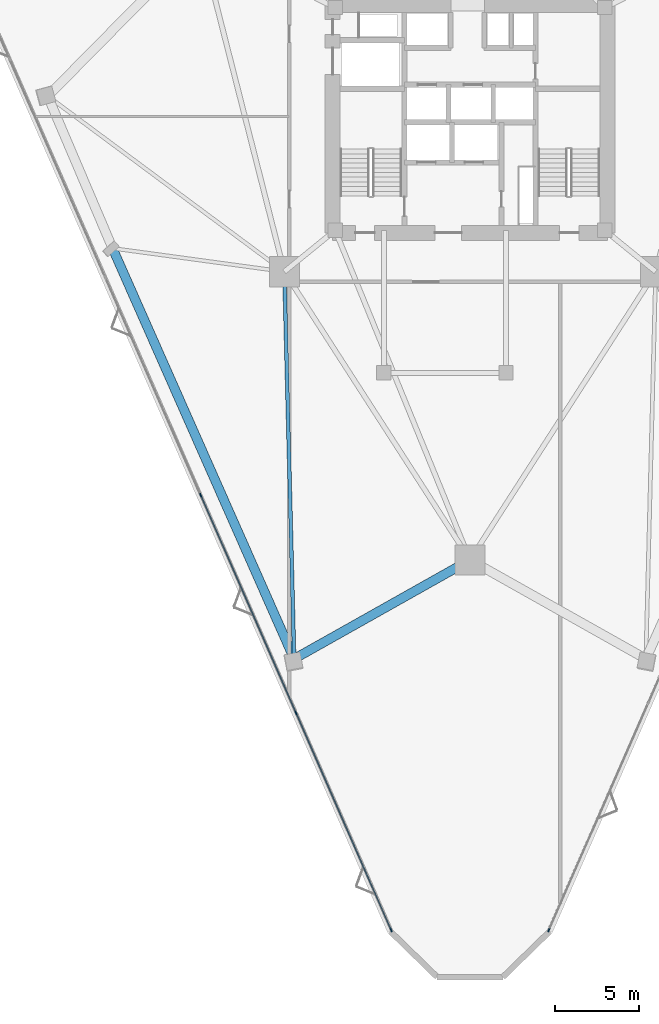
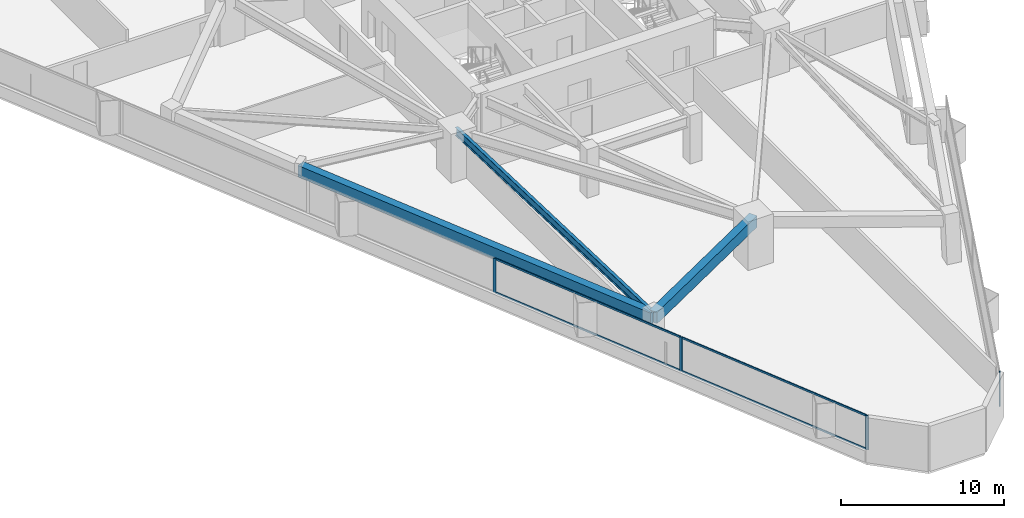
# One storey, part 2 of 14: 8 members, 3 beams, 2 elements without a shape of their own.
"""IFC4 building model written with IfcOpenShell, lengths in metres."""

from ifc_helpers import new_model, si_unit, direction, frame, origin, origin_2d, place, context, subcontext, project, spatial, rectangle, i_section, extrude, material, layer, layer_set, material_profile, profile_set, type_object, element, aggregate, save


model = new_model("IFC4")

# Units and contexts
model_context = context("Model", 3, precision=1e-05, world=origin(), true_north=direction((0.0, 1.0)))
body_context = subcontext(model_context, "Body", "Model", "MODEL_VIEW")
ifc_project = project(units=[si_unit("LENGTHUNIT", "METRE"), si_unit("AREAUNIT", "SQUARE_METRE"), si_unit("VOLUMEUNIT", "CUBIC_METRE"), si_unit("PLANEANGLEUNIT", "RADIAN"), si_unit("MASSUNIT", "GRAM", prefix="KILO")], contexts=[model_context])

# Site, building, storey
site_placement = place(None, origin())
site = spatial("IfcSite", under=ifc_project, at=site_placement, CompositionType="ELEMENT")
building_placement = place(site_placement, origin())
building = spatial("IfcBuilding", under=site, at=building_placement, Name="Talyreon Biosciences Tower", CompositionType="ELEMENT")
storey_placement = place(building_placement, frame((0.0, 0.0, 48.35009765625)))
storey = spatial("IfcBuildingStorey", under=building, at=storey_placement, Name="L12", CompositionType="ELEMENT", Elevation=48.35009765625)

# Curtain wall, member
ifc_material_1 = material(Name="Thermally broken aluminium and low-E glazing", Category="aluminium")
ifc_layer = layer(ifc_material_1, 0.205078125)
ifc_layer_set = layer_set([ifc_layer], Name="Thermally broken aluminium and low-E glazing")
curtain_wall_type = type_object("IfcCurtainWallType", Name="CurtainWall_SkyGardenLoggia", PredefinedType="NOTDEFINED", material=ifc_layer_set)
curtain_wall_1_placement = place(storey_placement, origin())
curtain_wall_1 = element("IfcCurtainWall", 1, at=curtain_wall_1_placement, inside=storey, type_object=curtain_wall_type, Name="L12 Unitised Curtain Wall FCW-L12-11", PredefinedType="NOTDEFINED")
ifc_material_2 = material(Name="Anodised thermally broken aluminium", Category="aluminium")
ifc_material_profile_1 = material_profile(ifc_material_2, rectangle(XDim=0.074951171875, YDim=0.2099609375, at=origin_2d()), Name="ALUM MULLION 75x210")
ifc_profile_set_1 = profile_set([ifc_material_profile_1], Name="Anodised thermally broken aluminium")
member_type_1 = type_object("IfcMemberType", Name="CWMullion_75x210", PredefinedType="MULLION", material=ifc_profile_set_1)
member_1_placement = place(storey_placement, frame((70.705078125, 19.556640625, 0.809814453125), z_axis=(0.0, 0.0, 1.0), x_axis=(0.916035598289, -0.401096974143, 0.0)))
member_1 = element("IfcMember", 2, at=member_1_placement, type_object=member_type_1, Name="CW7 mullion 3", PredefinedType="MULLION", context=body_context, shape_type="SweptSolid", body=[
    extrude(rectangle(XDim=0.074951171875, YDim=0.2099609375, at=origin_2d()), origin(), (0.0, 0.0, 1.0), 2.565185546875),
])
aggregate(curtain_wall_1, [member_1])

# Curtain wall, members
curtain_wall_2_placement = place(storey_placement, origin())
curtain_wall_2 = element("IfcCurtainWall", 3, at=curtain_wall_2_placement, inside=storey, type_object=curtain_wall_type, Name="L12 Unitised Curtain Wall FCW-L12-15", PredefinedType="NOTDEFINED")
member_2_placement = place(storey_placement, frame((61.294921875, 19.556640625, 0.809814453125), z_axis=(0.0, 0.0, 1.0), x_axis=(-0.916035471245, -0.40109726429, 0.0)))
member_2 = element("IfcMember", 4, at=member_2_placement, type_object=member_type_1, Name="CW7 mullion 1", PredefinedType="MULLION", context=body_context, shape_type="SweptSolid", body=[
    extrude(rectangle(XDim=0.074951171875, YDim=0.2099609375, at=origin_2d()), origin(), (0.0, 0.0, 1.0), 2.565185546875),
])
member_3_placement = place(storey_placement, frame((55.61376953125, 32.53125, 0.809814453125), z_axis=(0.0, 0.0, 1.0), x_axis=(-0.916035471245, -0.40109726429, 0.0)))
member_3 = element("IfcMember", 5, at=member_3_placement, type_object=member_type_1, Name="CW7 mullion 2", PredefinedType="MULLION", context=body_context, shape_type="SweptSolid", body=[
    extrude(rectangle(XDim=0.074951171875, YDim=0.2099609375, at=origin_2d()), origin(), (0.0, 0.0, 1.0), 2.565185546875),
])
member_4_placement = place(storey_placement, frame((49.917724609375, 45.5400390625, 0.809814453125), z_axis=(0.0, 0.0, 1.0), x_axis=(-0.916035471245, -0.40109726429, 0.0)))
member_4 = element("IfcMember", 6, at=member_4_placement, type_object=member_type_1, Name="CW7 mullion 3", PredefinedType="MULLION", context=body_context, shape_type="SweptSolid", body=[
    extrude(rectangle(XDim=0.074951171875, YDim=0.2099609375, at=origin_2d()), origin(), (0.0, 0.0, 1.0), 2.565185546875),
])
ifc_material_profile_2 = material_profile(ifc_material_2, rectangle(XDim=0.06494140625, YDim=0.139892578125, at=origin_2d()), Name="ALUM TRANSOM 65x140")
ifc_profile_set_2 = profile_set([ifc_material_profile_2], Name="Anodised thermally broken aluminium")
member_type_2 = type_object("IfcMemberType", Name="CWTransom_65x140", PredefinedType="USERDEFINED", material=ifc_profile_set_2)
member_5_placement = place(storey_placement, frame((61.27978515625, 19.5908203125, 0.84228515625), z_axis=(-0.401086983506, 0.916039972742, 0.0), x_axis=(-0.916039972742, -0.401086983506, 0.0)))
member_5 = element("IfcMember", 7, at=member_5_placement, type_object=member_type_2, Name="CW7 transom 1.1", ObjectType="TRANSOM", PredefinedType="USERDEFINED", context=body_context, shape_type="SweptSolid", body=[
    extrude(rectangle(XDim=0.06494140625, YDim=0.139892578125, at=origin_2d()), origin(), (0.0, 0.0, 1.0), 14.0888671875),
])
member_6_placement = place(storey_placement, frame((61.27978515625, 19.5908203125, 3.34228515625), z_axis=(-0.401086983506, 0.916039972742, 0.0), x_axis=(-0.916039972742, -0.401086983506, 0.0)))
member_6 = element("IfcMember", 8, at=member_6_placement, type_object=member_type_2, Name="CW7 transom 1.2", ObjectType="TRANSOM", PredefinedType="USERDEFINED", context=body_context, shape_type="SweptSolid", body=[
    extrude(rectangle(XDim=0.06494140625, YDim=0.139892578125, at=origin_2d()), origin(), (0.0, 0.0, 1.0), 14.0888671875),
])
member_7_placement = place(storey_placement, frame((55.5986328125, 32.5654296875, 0.84228515625), z_axis=(-0.401090802253, 0.916038300699, 0.0), x_axis=(-0.916038300699, -0.401090802253, 0.0)))
member_7 = element("IfcMember", 9, at=member_7_placement, type_object=member_type_2, Name="CW7 transom 2.1", ObjectType="TRANSOM", PredefinedType="USERDEFINED", context=body_context, shape_type="SweptSolid", body=[
    extrude(rectangle(XDim=0.06494140625, YDim=0.139892578125, at=origin_2d()), origin(), (0.0, 0.0, 1.0), 14.12646484375),
])
member_8_placement = place(storey_placement, frame((55.5986328125, 32.5654296875, 3.34228515625), z_axis=(-0.401090802253, 0.916038300699, 0.0), x_axis=(-0.916038300699, -0.401090802253, 0.0)))
member_8 = element("IfcMember", 10, at=member_8_placement, type_object=member_type_2, Name="CW7 transom 2.2", ObjectType="TRANSOM", PredefinedType="USERDEFINED", context=body_context, shape_type="SweptSolid", body=[
    extrude(rectangle(XDim=0.06494140625, YDim=0.139892578125, at=origin_2d()), origin(), (0.0, 0.0, 1.0), 14.12646484375),
])
aggregate(curtain_wall_2, [member_2, member_3, member_4, member_5, member_6, member_7, member_8])

# Beams
ifc_material_3 = material(Name="Precast concrete C45/55", Category="concrete")
ifc_material_profile_3 = material_profile(ifc_material_3, rectangle(XDim=0.550048828125, YDim=0.85009765625, at=origin_2d()), Name="RCB 550x850")
ifc_profile_set_3 = profile_set([ifc_material_profile_3], Name="Precast concrete C45/55")
beam_type_1 = type_object("IfcBeamType", Name="ExpressedSpandrel_550x850", PredefinedType="SPANDREL", material=ifc_profile_set_3)
beam_1_placement = place(storey_placement, frame((44.656982421875, 60.27734375, 2.949951171875), z_axis=(0.404471444664, -0.914550627604, 0.0), x_axis=(0.914550627604, 0.404471444664, 0.0)))
element("IfcBeam", 11, at=beam_1_placement, inside=storey, type_object=beam_type_1, Name="L12 Expressed Horizontal Concrete Spandrel 11", PredefinedType="SPANDREL", context=body_context, shape_type="SweptSolid", body=[
    extrude(rectangle(XDim=0.550048828125, YDim=0.85009765625, at=origin_2d()), origin(), (0.0, 0.0, 1.0), 26.807373046875),
])
beam_2_placement = place(storey_placement, frame((55.499755859375, 35.7607421875, 2.949951171875), z_axis=(0.871580407914, 0.49025258035, 0.0), x_axis=(-0.49025258035, 0.871580407914, 0.0)))
element("IfcBeam", 12, at=beam_2_placement, inside=storey, type_object=beam_type_1, Name="L12 Expressed Horizontal Concrete Spandrel 12", PredefinedType="SPANDREL", context=body_context, shape_type="SweptSolid", body=[
    extrude(rectangle(XDim=0.550048828125, YDim=0.85009765625, at=origin_2d()), origin(), (0.0, 0.0, 1.0), 12.04736328125),
])
ifc_material_4 = material(Name="Steel SM355", Category="steel")
ifc_material_profile_4 = material_profile(ifc_material_4, i_section(OverallWidth=0.219970703125, OverallDepth=0.60009765625, WebThickness=0.011962890625, FlangeThickness=0.01904296875, FilletRadius=0.02392578125, at=origin_2d()), Name="IPE600")
ifc_profile_set_4 = profile_set([ifc_material_profile_4], Name="Steel SM355")
beam_type_2 = type_object("IfcBeamType", Name="SteelJoist_IPE600", PredefinedType="JOIST", material=ifc_profile_set_4)
beam_3_placement = place(storey_placement, frame((54.913818359375, 58.88037109375, 3.074951171875), z_axis=(0.025335588987, -0.999679002446, 0.0), x_axis=(0.999679002446, 0.025335588987, 0.0)))
element("IfcBeam", 13, at=beam_3_placement, inside=storey, type_object=beam_type_2, Name="L12 Radial Composite Floor Joist PC-SW2", PredefinedType="JOIST", context=body_context, shape_type="SweptSolid", body=[
    extrude(i_section(OverallWidth=0.219970703125, OverallDepth=0.60009765625, WebThickness=0.011962890625, FlangeThickness=0.01904296875, FilletRadius=0.02392578125, at=origin_2d()), origin(), (0.0, 0.0, 1.0), 23.126953125),
])

save(model, "model.ifc")
